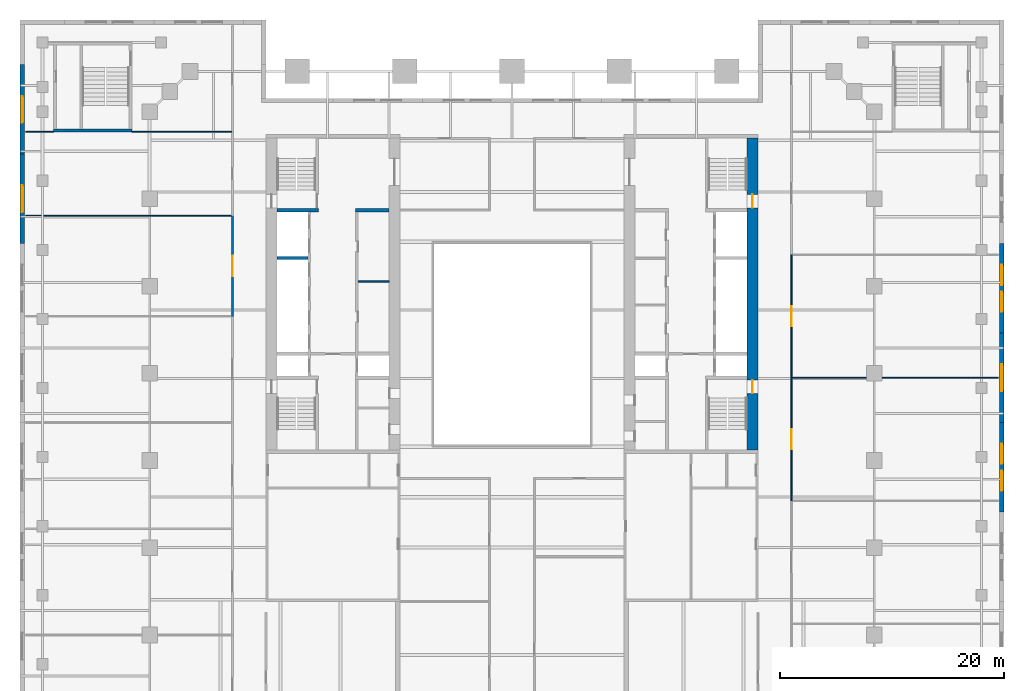
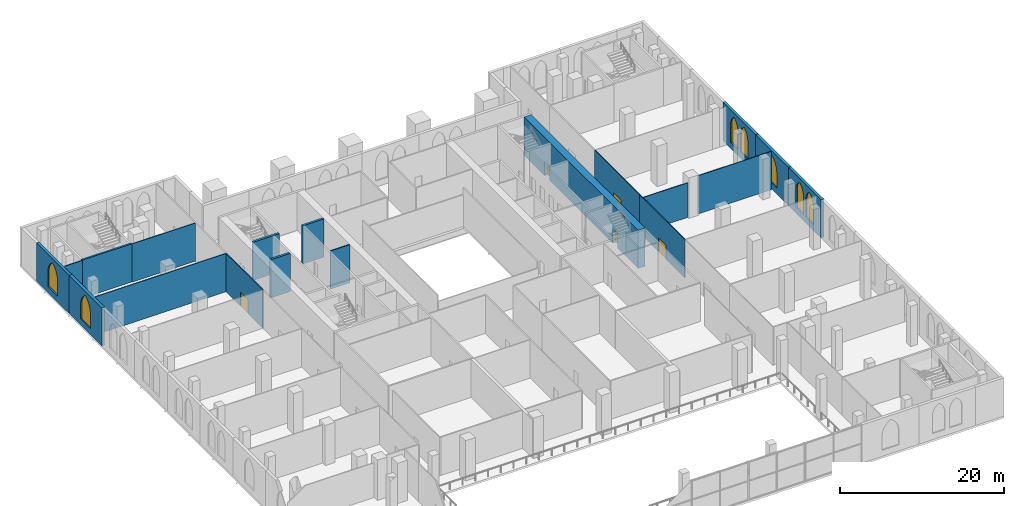
# One storey, part 14 of 21: 19 walls, 7 windows, 5 doors, 12 openings.
"""IFC4 building model written with IfcOpenShell, lengths in metres."""

from ifc_helpers import new_model, si_unit, direction, frame, frame_2d, origin, place, context, subcontext, project, spatial, polyline, rectangle, outline, extrude, material, layer, layer_set, type_object, element, fill, save


model = new_model("IFC4")

# Units and contexts
model_context = context("Model", 3, precision=1e-05, world=origin(), true_north=direction((0.0, 1.0)))
body_context = subcontext(model_context, "Body", "Model", "MODEL_VIEW")
ifc_project = project(units=[si_unit("LENGTHUNIT", "METRE"), si_unit("AREAUNIT", "SQUARE_METRE"), si_unit("VOLUMEUNIT", "CUBIC_METRE"), si_unit("PLANEANGLEUNIT", "RADIAN"), si_unit("MASSUNIT", "GRAM", prefix="KILO")], contexts=[model_context])

# Site, building, storey
site_placement = place(None, origin())
site = spatial("IfcSite", under=ifc_project, at=site_placement, CompositionType="ELEMENT")
building_placement = place(site_placement, origin())
building = spatial("IfcBuilding", under=site, at=building_placement, Name="Ogive Exchange Tower", CompositionType="ELEMENT")
storey_placement = place(building_placement, frame((0.0, 0.0, 8.0)))
storey = spatial("IfcBuildingStorey", under=building, at=storey_placement, Name="L01", CompositionType="ELEMENT", Elevation=8.0)

# Walls
ifc_material_1 = material(Name="Gypsum board partition")
ifc_layer_1 = layer(ifc_material_1, 0.14990234375)
ifc_layer_set_1 = layer_set([ifc_layer_1], Name="Core room partition 150 gypsum")
wall_type_1 = type_object("IfcWallType", Name="Core room partition 150 gypsum", PredefinedType="PARTITIONING", material=ifc_layer_set_1)
wall_1_placement = place(storey_placement, frame((-13.75, 12.60009765625, 0.0), z_axis=(0.0, 0.0, 1.0), x_axis=(1.0, 0.0, 0.0)))
element("IfcWall", 1, at=wall_1_placement, inside=storey, type_object=wall_type_1, Name="W row B bay partition 1-1", PredefinedType="PARTITIONING", context=body_context, shape_type="SweptSolid", body=[
    extrude(rectangle(XDim=2.75, YDim=0.14990234375, at=frame_2d((1.375, 0.0))), origin(), (0.0, 0.0, 1.0), 5.699951171875),
])
ifc_layer_2 = layer(ifc_material_1, 0.300048828125)
ifc_layer_set_2 = layer_set([ifc_layer_2], Name="Core room partition 300 gypsum")
wall_type_2 = type_object("IfcWallType", Name="Core room partition 300 gypsum", PredefinedType="PARTITIONING", material=ifc_layer_set_2)
wall_2_placement = place(storey_placement, frame((-14.0, 19.0, 0.0), z_axis=(0.0, 0.0, 1.0), x_axis=(1.0, 0.0, 0.0)))
element("IfcWall", 2, at=wall_2_placement, inside=storey, type_object=wall_type_2, Name="W row B room end wall 7", PredefinedType="PARTITIONING", context=body_context, shape_type="SweptSolid", body=[
    extrude(rectangle(XDim=3.0, YDim=0.300048828125, at=frame_2d((1.5, 0.0))), origin(), (0.0, 0.0, 1.0), 5.699951171875),
])

# Wall, opening, door
ifc_material_2 = material(Name="Fire partition EI 60 150")
ifc_layer_3 = layer(ifc_material_2, 0.14990234375)
ifc_layer_set_3 = layer_set([ifc_layer_3], Name="Fire partition EI 60 150")
wall_type_3 = type_object("IfcWallType", Name="Fire partition EI 60 150", PredefinedType="PARTITIONING", material=ifc_layer_set_3)
wall_3_placement = place(storey_placement, frame((-25.0, 9.5, 0.0), z_axis=(0.0, 0.0, 1.0), x_axis=(0.0, 1.0, 0.0)))
wall_3 = element("IfcWall", 3, at=wall_3_placement, inside=storey, type_object=wall_type_3, Name="L01-PWL-049", PredefinedType="PARTITIONING", context=body_context, shape_type="SweptSolid", body=[
    extrude(rectangle(XDim=9.0, YDim=0.14990234375, at=frame_2d((4.5, 0.0))), origin(), (0.0, 0.0, 1.0), 5.699951171875),
])
opening_1_placement = place(wall_3_placement, frame((3.60009765625, 0.0, 0.0)))
opening_1 = element("IfcOpeningElement", 4, at=opening_1_placement, cuts=wall_3, Name="Opening L01-I07", PredefinedType="OPENING", context=body_context, shape_type="SweptSolid", body=[
    extrude(rectangle(XDim=1.800048828125, YDim=2.10009765625, at=frame_2d((0.89990234375, 1.050048828125))), frame((0.0, 0.0849609375, 0.0), z_axis=(0.0, -1.0, 0.0), x_axis=(1.0, 0.0, 0.0)), (0.0, 0.0, 1.0), 0.169921875),
])
ifc_material_3 = material(Name="Fire door FD 30S 1800 x 2100")
door_type_1 = type_object("IfcDoorType", Name="Fire door FD 30S 1800 x 2100", OperationType="DOUBLE_DOOR_SINGLE_SWING", PredefinedType="DOOR", material=ifc_material_3)
door_1_placement = place(opening_1_placement, origin())
door_1 = element("IfcDoor", 5, at=door_1_placement, inside=storey, type_object=door_type_1, Name="L01-IDR-007", ObjectType="DT4", OperationType="SINGLE_SWING_RIGHT", OverallHeight=2.10009765625, OverallWidth=1.800048828125, PredefinedType="DOOR", context=body_context, shape_type="SweptSolid", body=[
    extrude(rectangle(XDim=1.800048828125, YDim=2.10009765625, at=frame_2d((0.89990234375, 1.050048828125))), frame((0.0, 0.02490234375, 0.0), z_axis=(0.0, -1.0, 0.0), x_axis=(1.0, 0.0, 0.0)), (0.0, 0.0, 1.0), 0.050048828125),
])
fill(opening_1, door_1)

ifc_material_4 = material(Name="Glazed fire partition EI 60 120")
ifc_layer_4 = layer(ifc_material_4, 0.1201171875)
ifc_layer_set_4 = layer_set([ifc_layer_4], Name="Glazed fire partition EI 60 120")
wall_type_4 = type_object("IfcWallType", Name="Glazed fire partition EI 60 120", PredefinedType="PARTITIONING", material=ifc_layer_set_4)
wall_4_placement = place(storey_placement, frame((25.0, -7.0, 0.0), z_axis=(0.0, 0.0, 1.0), x_axis=(0.0, 1.0, 0.0)))
wall_4 = element("IfcWall", 6, at=wall_4_placement, inside=storey, type_object=wall_type_4, Name="L01-PWL-062", PredefinedType="PARTITIONING", context=body_context, shape_type="SweptSolid", body=[
    extrude(rectangle(XDim=11.0, YDim=0.1201171875, at=frame_2d((5.5, 0.0))), origin(), (0.0, 0.0, 1.0), 5.699951171875),
])
opening_2_placement = place(wall_4_placement, frame((4.60009765625, 0.0, 0.0)))
opening_2 = element("IfcOpeningElement", 7, at=opening_2_placement, cuts=wall_4, Name="Opening L01-I11", PredefinedType="OPENING", context=body_context, shape_type="SweptSolid", body=[
    extrude(rectangle(XDim=1.800048828125, YDim=2.10009765625, at=frame_2d((0.89990234375, 1.050048828125))), frame((0.0, 0.070068359375, 0.0), z_axis=(0.0, -1.0, 0.0), x_axis=(1.0, 0.0, 0.0)), (0.0, 0.0, 1.0), 0.14013671875),
])
door_2_placement = place(opening_2_placement, frame((1.800048828125, 0.0, 0.0), z_axis=(0.0, 0.0, 1.0), x_axis=(-1.0, 0.0, 0.0)))
door_2 = element("IfcDoor", 8, at=door_2_placement, inside=storey, type_object=door_type_1, Name="L01-IDR-011", ObjectType="DT4", OperationType="SINGLE_SWING_LEFT", OverallHeight=2.10009765625, OverallWidth=1.800048828125, PredefinedType="DOOR", context=body_context, shape_type="SweptSolid", body=[
    extrude(rectangle(XDim=1.800048828125, YDim=2.10009765625, at=frame_2d((0.89990234375, 1.050048828125))), frame((0.0, 0.02490234375, 0.0), z_axis=(0.0, -1.0, 0.0), x_axis=(1.0, 0.0, 0.0)), (0.0, 0.0, 1.0), 0.050048828125),
])
fill(opening_2, door_2)

wall_5_placement = place(storey_placement, frame((25.0, 4.0, 0.0), z_axis=(0.0, 0.0, 1.0), x_axis=(0.0, 1.0, 0.0)))
wall_5 = element("IfcWall", 9, at=wall_5_placement, inside=storey, type_object=wall_type_4, Name="L01-PWL-063", PredefinedType="PARTITIONING", context=body_context, shape_type="SweptSolid", body=[
    extrude(rectangle(XDim=11.0, YDim=0.1201171875, at=frame_2d((5.5, 0.0))), origin(), (0.0, 0.0, 1.0), 5.699951171875),
])
opening_3_placement = place(wall_5_placement, frame((4.60009765625, 0.0, 0.0)))
opening_3 = element("IfcOpeningElement", 10, at=opening_3_placement, cuts=wall_5, Name="Opening L01-I12", PredefinedType="OPENING", context=body_context, shape_type="SweptSolid", body=[
    extrude(rectangle(XDim=1.800048828125, YDim=2.10009765625, at=frame_2d((0.89990234375, 1.050048828125))), frame((0.0, 0.070068359375, 0.0), z_axis=(0.0, -1.0, 0.0), x_axis=(1.0, 0.0, 0.0)), (0.0, 0.0, 1.0), 0.14013671875),
])
door_3_placement = place(opening_3_placement, frame((1.800048828125, 0.0, 0.0), z_axis=(0.0, 0.0, 1.0), x_axis=(-1.0, 0.0, 0.0)))
door_3 = element("IfcDoor", 11, at=door_3_placement, inside=storey, type_object=door_type_1, Name="L01-IDR-012", ObjectType="DT4", OperationType="SINGLE_SWING_LEFT", OverallHeight=2.10009765625, OverallWidth=1.800048828125, PredefinedType="DOOR", context=body_context, shape_type="SweptSolid", body=[
    extrude(rectangle(XDim=1.800048828125, YDim=2.10009765625, at=frame_2d((0.89990234375, 1.050048828125))), frame((0.0, 0.02490234375, 0.0), z_axis=(0.0, -1.0, 0.0), x_axis=(1.0, 0.0, 0.0)), (0.0, 0.0, 1.0), 0.050048828125),
])
fill(opening_3, door_3)

# Wall, openings, windows
ifc_material_5 = material(Name="Precast concrete C40/50", Category="concrete")
ifc_layer_5 = layer(ifc_material_5, 0.39990234375)
ifc_layer_set_5 = layer_set([ifc_layer_5], Name="Limestone-faced wall 400")
wall_type_5 = type_object("IfcWallType", Name="Limestone-faced wall 400", PredefinedType="STANDARD", material=ifc_layer_set_5)
wall_6_placement = place(storey_placement, frame((43.800048828125, -8.0, 0.0), z_axis=(0.0, 0.0, 1.0), x_axis=(0.0, 1.0, 0.0)))
wall_6 = element("IfcWall", 12, at=wall_6_placement, inside=storey, type_object=wall_type_5, Name="Podium wall E7", PredefinedType="STANDARD", context=body_context, shape_type="SweptSolid", body=[
    extrude(rectangle(XDim=8.0, YDim=0.39990234375, at=frame_2d((4.0, 0.0))), origin(), (0.0, 0.0, 1.0), 5.699951171875),
])
opening_4_placement = place(wall_6_placement, frame((1.89990234375, 0.0, 0.89990234375)))
opening_4 = element("IfcOpeningElement", 13, at=opening_4_placement, cuts=wall_6, Name="Opening WQ420", PredefinedType="OPENING", context=body_context, shape_type="SweptSolid", body=[
    extrude(outline(polyline([(0.0, 0.0), (1.800048828125, 0.0), (1.800048828125, 2.64111328125), (1.78466796875, 2.8759765625), (1.73876953125, 3.10693359375), (1.6630859375, 3.329833984375), (1.558837890625, 3.541015625), (1.427978515625, 3.73681640625), (1.272705078125, 3.913818359375), (1.095703125, 4.069091796875), (0.89990234375, 4.199951171875), (0.704345703125, 4.069091796875), (0.52734375, 3.913818359375), (0.3720703125, 3.73681640625), (0.2412109375, 3.541015625), (0.136962890625, 3.329833984375), (0.061279296875, 3.10693359375), (0.015380859375, 2.8759765625), (0.0, 2.64111328125), (0.0, 0.0)])), frame((0.0, 0.2099609375, 0.0), z_axis=(0.0, -1.0, 0.0), x_axis=(1.0, 0.0, 0.0)), (0.0, 0.0, 1.0), 0.419921875),
])
opening_5_placement = place(wall_6_placement, frame((4.300048828125, 0.0, 0.89990234375)))
opening_5 = element("IfcOpeningElement", 14, at=opening_5_placement, cuts=wall_6, Name="Opening WQ420", PredefinedType="OPENING", context=body_context, shape_type="SweptSolid", body=[
    extrude(outline(polyline([(0.0, 0.0), (1.800048828125, 0.0), (1.800048828125, 2.64111328125), (1.78466796875, 2.8759765625), (1.73876953125, 3.10693359375), (1.6630859375, 3.329833984375), (1.558837890625, 3.541015625), (1.427978515625, 3.73681640625), (1.272705078125, 3.913818359375), (1.095703125, 4.069091796875), (0.89990234375, 4.199951171875), (0.704345703125, 4.069091796875), (0.52734375, 3.913818359375), (0.3720703125, 3.73681640625), (0.2412109375, 3.541015625), (0.136962890625, 3.329833984375), (0.061279296875, 3.10693359375), (0.015380859375, 2.8759765625), (0.0, 2.64111328125), (0.0, 0.0)])), frame((0.0, 0.2099609375, 0.0), z_axis=(0.0, -1.0, 0.0), x_axis=(1.0, 0.0, 0.0)), (0.0, 0.0, 1.0), 0.419921875),
])
ifc_material_6 = material(Name="Clear glass in bronze frame", Category="glass")
window_type_1 = type_object("IfcWindowType", Name="Podium paired lancet 1800 x 4200", PartitioningType="DOUBLE_PANEL_VERTICAL", PredefinedType="WINDOW", material=ifc_material_6)
window_1_placement = place(opening_4_placement, origin())
window_1 = element("IfcWindow", 15, at=window_1_placement, inside=storey, type_object=window_type_1, Name="Podium paired lancet E7.1", OverallHeight=4.199951171875, OverallWidth=1.800048828125, PartitioningType="DOUBLE_PANEL_VERTICAL", PredefinedType="WINDOW", context=body_context, shape_type="SweptSolid", body=[
    extrude(outline(polyline([(0.0, 0.0), (1.800048828125, 0.0), (1.800048828125, 2.64111328125), (1.78466796875, 2.8759765625), (1.73876953125, 3.10693359375), (1.6630859375, 3.329833984375), (1.558837890625, 3.541015625), (1.427978515625, 3.73681640625), (1.272705078125, 3.913818359375), (1.095703125, 4.069091796875), (0.89990234375, 4.199951171875), (0.704345703125, 4.069091796875), (0.52734375, 3.913818359375), (0.3720703125, 3.73681640625), (0.2412109375, 3.541015625), (0.136962890625, 3.329833984375), (0.061279296875, 3.10693359375), (0.015380859375, 2.8759765625), (0.0, 2.64111328125), (0.0, 0.0)])), frame((0.0, 0.030029296875, 0.0), z_axis=(0.0, -1.0, 0.0), x_axis=(1.0, 0.0, 0.0)), (0.0, 0.0, 1.0), 0.06005859375),
])
fill(opening_4, window_1)
window_2_placement = place(opening_5_placement, origin())
window_2 = element("IfcWindow", 16, at=window_2_placement, inside=storey, type_object=window_type_1, Name="Podium paired lancet E7.2", OverallHeight=4.199951171875, OverallWidth=1.800048828125, PartitioningType="DOUBLE_PANEL_VERTICAL", PredefinedType="WINDOW", context=body_context, shape_type="SweptSolid", body=[
    extrude(outline(polyline([(0.0, 0.0), (1.800048828125, 0.0), (1.800048828125, 2.64111328125), (1.78466796875, 2.8759765625), (1.73876953125, 3.10693359375), (1.6630859375, 3.329833984375), (1.558837890625, 3.541015625), (1.427978515625, 3.73681640625), (1.272705078125, 3.913818359375), (1.095703125, 4.069091796875), (0.89990234375, 4.199951171875), (0.704345703125, 4.069091796875), (0.52734375, 3.913818359375), (0.3720703125, 3.73681640625), (0.2412109375, 3.541015625), (0.136962890625, 3.329833984375), (0.061279296875, 3.10693359375), (0.015380859375, 2.8759765625), (0.0, 2.64111328125), (0.0, 0.0)])), frame((0.0, 0.030029296875, 0.0), z_axis=(0.0, -1.0, 0.0), x_axis=(1.0, 0.0, 0.0)), (0.0, 0.0, 1.0), 0.06005859375),
])
fill(opening_5, window_2)

# Wall, opening, window
wall_7_placement = place(storey_placement, frame((43.800048828125, 0.0, 0.0), z_axis=(0.0, 0.0, 1.0), x_axis=(0.0, 1.0, 0.0)))
wall_7 = element("IfcWall", 17, at=wall_7_placement, inside=storey, type_object=wall_type_5, Name="Podium wall E8", PredefinedType="STANDARD", context=body_context, shape_type="SweptSolid", body=[
    extrude(rectangle(XDim=8.0, YDim=0.39990234375, at=frame_2d((4.0, 0.0))), origin(), (0.0, 0.0, 1.0), 5.699951171875),
])
opening_6_placement = place(wall_7_placement, frame((2.800048828125, 0.0, 0.89990234375)))
opening_6 = element("IfcOpeningElement", 18, at=opening_6_placement, cuts=wall_7, Name="Opening WP420", PredefinedType="OPENING", context=body_context, shape_type="SweptSolid", body=[
    extrude(outline(polyline([(0.0, 0.0), (2.39990234375, 0.0), (2.39990234375, 2.12158203125), (2.37939453125, 2.434814453125), (2.318115234375, 2.74267578125), (2.21728515625, 3.0400390625), (2.078369140625, 3.321533203125), (1.904052734375, 3.58251953125), (1.697021484375, 3.818603515625), (1.4609375, 4.025634765625), (1.199951171875, 4.199951171875), (0.93896484375, 4.025634765625), (0.702880859375, 3.818603515625), (0.495849609375, 3.58251953125), (0.321533203125, 3.321533203125), (0.1826171875, 3.0400390625), (0.081787109375, 2.74267578125), (0.0205078125, 2.434814453125), (0.0, 2.12158203125), (0.0, 0.0)])), frame((0.0, 0.2099609375, 0.0), z_axis=(0.0, -1.0, 0.0), x_axis=(1.0, 0.0, 0.0)), (0.0, 0.0, 1.0), 0.419921875),
])
window_type_2 = type_object("IfcWindowType", Name="Podium lancet window 2400 x 4200", PartitioningType="DOUBLE_PANEL_VERTICAL", PredefinedType="WINDOW", material=ifc_material_6)
window_3_placement = place(opening_6_placement, origin())
window_3 = element("IfcWindow", 19, at=window_3_placement, inside=storey, type_object=window_type_2, Name="Podium window E8", OverallHeight=4.199951171875, OverallWidth=2.39990234375, PartitioningType="DOUBLE_PANEL_VERTICAL", PredefinedType="WINDOW", context=body_context, shape_type="SweptSolid", body=[
    extrude(outline(polyline([(0.0, 0.0), (2.39990234375, 0.0), (2.39990234375, 2.12158203125), (2.37939453125, 2.434814453125), (2.318115234375, 2.74267578125), (2.21728515625, 3.0400390625), (2.078369140625, 3.321533203125), (1.904052734375, 3.58251953125), (1.697021484375, 3.818603515625), (1.4609375, 4.025634765625), (1.199951171875, 4.199951171875), (0.93896484375, 4.025634765625), (0.702880859375, 3.818603515625), (0.495849609375, 3.58251953125), (0.321533203125, 3.321533203125), (0.1826171875, 3.0400390625), (0.081787109375, 2.74267578125), (0.0205078125, 2.434814453125), (0.0, 2.12158203125), (0.0, 0.0)])), frame((0.0, 0.030029296875, 0.0), z_axis=(0.0, -1.0, 0.0), x_axis=(1.0, 0.0, 0.0)), (0.0, 0.0, 1.0), 0.06005859375),
])
fill(opening_6, window_3)

# Wall, openings, windows
wall_8_placement = place(storey_placement, frame((43.800048828125, 8.0, 0.0), z_axis=(0.0, 0.0, 1.0), x_axis=(0.0, 1.0, 0.0)))
wall_8 = element("IfcWall", 20, at=wall_8_placement, inside=storey, type_object=wall_type_5, Name="Podium wall E9", PredefinedType="STANDARD", context=body_context, shape_type="SweptSolid", body=[
    extrude(rectangle(XDim=8.0, YDim=0.39990234375, at=frame_2d((4.0, 0.0))), origin(), (0.0, 0.0, 1.0), 5.699951171875),
])
opening_7_placement = place(wall_8_placement, frame((1.89990234375, 0.0, 0.89990234375)))
opening_7 = element("IfcOpeningElement", 21, at=opening_7_placement, cuts=wall_8, Name="Opening WQ420", PredefinedType="OPENING", context=body_context, shape_type="SweptSolid", body=[
    extrude(outline(polyline([(0.0, 0.0), (1.800048828125, 0.0), (1.800048828125, 2.64111328125), (1.78466796875, 2.8759765625), (1.73876953125, 3.10693359375), (1.6630859375, 3.329833984375), (1.558837890625, 3.541015625), (1.427978515625, 3.73681640625), (1.272705078125, 3.913818359375), (1.095703125, 4.069091796875), (0.89990234375, 4.199951171875), (0.704345703125, 4.069091796875), (0.52734375, 3.913818359375), (0.3720703125, 3.73681640625), (0.2412109375, 3.541015625), (0.136962890625, 3.329833984375), (0.061279296875, 3.10693359375), (0.015380859375, 2.8759765625), (0.0, 2.64111328125), (0.0, 0.0)])), frame((0.0, 0.2099609375, 0.0), z_axis=(0.0, -1.0, 0.0), x_axis=(1.0, 0.0, 0.0)), (0.0, 0.0, 1.0), 0.419921875),
])
opening_8_placement = place(wall_8_placement, frame((4.300048828125, 0.0, 0.89990234375)))
opening_8 = element("IfcOpeningElement", 22, at=opening_8_placement, cuts=wall_8, Name="Opening WQ420", PredefinedType="OPENING", context=body_context, shape_type="SweptSolid", body=[
    extrude(outline(polyline([(0.0, 0.0), (1.800048828125, 0.0), (1.800048828125, 2.64111328125), (1.78466796875, 2.8759765625), (1.73876953125, 3.10693359375), (1.6630859375, 3.329833984375), (1.558837890625, 3.541015625), (1.427978515625, 3.73681640625), (1.272705078125, 3.913818359375), (1.095703125, 4.069091796875), (0.89990234375, 4.199951171875), (0.704345703125, 4.069091796875), (0.52734375, 3.913818359375), (0.3720703125, 3.73681640625), (0.2412109375, 3.541015625), (0.136962890625, 3.329833984375), (0.061279296875, 3.10693359375), (0.015380859375, 2.8759765625), (0.0, 2.64111328125), (0.0, 0.0)])), frame((0.0, 0.2099609375, 0.0), z_axis=(0.0, -1.0, 0.0), x_axis=(1.0, 0.0, 0.0)), (0.0, 0.0, 1.0), 0.419921875),
])
window_4_placement = place(opening_7_placement, origin())
window_4 = element("IfcWindow", 23, at=window_4_placement, inside=storey, type_object=window_type_1, Name="Podium paired lancet E9.1", OverallHeight=4.199951171875, OverallWidth=1.800048828125, PartitioningType="DOUBLE_PANEL_VERTICAL", PredefinedType="WINDOW", context=body_context, shape_type="SweptSolid", body=[
    extrude(outline(polyline([(0.0, 0.0), (1.800048828125, 0.0), (1.800048828125, 2.64111328125), (1.78466796875, 2.8759765625), (1.73876953125, 3.10693359375), (1.6630859375, 3.329833984375), (1.558837890625, 3.541015625), (1.427978515625, 3.73681640625), (1.272705078125, 3.913818359375), (1.095703125, 4.069091796875), (0.89990234375, 4.199951171875), (0.704345703125, 4.069091796875), (0.52734375, 3.913818359375), (0.3720703125, 3.73681640625), (0.2412109375, 3.541015625), (0.136962890625, 3.329833984375), (0.061279296875, 3.10693359375), (0.015380859375, 2.8759765625), (0.0, 2.64111328125), (0.0, 0.0)])), frame((0.0, 0.030029296875, 0.0), z_axis=(0.0, -1.0, 0.0), x_axis=(1.0, 0.0, 0.0)), (0.0, 0.0, 1.0), 0.06005859375),
])
fill(opening_7, window_4)
window_5_placement = place(opening_8_placement, origin())
window_5 = element("IfcWindow", 24, at=window_5_placement, inside=storey, type_object=window_type_1, Name="Podium paired lancet E9.2", OverallHeight=4.199951171875, OverallWidth=1.800048828125, PartitioningType="DOUBLE_PANEL_VERTICAL", PredefinedType="WINDOW", context=body_context, shape_type="SweptSolid", body=[
    extrude(outline(polyline([(0.0, 0.0), (1.800048828125, 0.0), (1.800048828125, 2.64111328125), (1.78466796875, 2.8759765625), (1.73876953125, 3.10693359375), (1.6630859375, 3.329833984375), (1.558837890625, 3.541015625), (1.427978515625, 3.73681640625), (1.272705078125, 3.913818359375), (1.095703125, 4.069091796875), (0.89990234375, 4.199951171875), (0.704345703125, 4.069091796875), (0.52734375, 3.913818359375), (0.3720703125, 3.73681640625), (0.2412109375, 3.541015625), (0.136962890625, 3.329833984375), (0.061279296875, 3.10693359375), (0.015380859375, 2.8759765625), (0.0, 2.64111328125), (0.0, 0.0)])), frame((0.0, 0.030029296875, 0.0), z_axis=(0.0, -1.0, 0.0), x_axis=(1.0, 0.0, 0.0)), (0.0, 0.0, 1.0), 0.06005859375),
])
fill(opening_8, window_5)

# Wall, opening, window
wall_9_placement = place(storey_placement, frame((-43.800048828125, 32.0, 0.0), z_axis=(0.0, 0.0, 1.0), x_axis=(0.0, -1.0, 0.0)))
wall_9 = element("IfcWall", 25, at=wall_9_placement, inside=storey, type_object=wall_type_5, Name="Podium wall W2", PredefinedType="STANDARD", context=body_context, shape_type="SweptSolid", body=[
    extrude(rectangle(XDim=8.0, YDim=0.39990234375, at=frame_2d((4.0, 0.0))), origin(), (0.0, 0.0, 1.0), 5.699951171875),
])
opening_9_placement = place(wall_9_placement, frame((2.800048828125, 0.0, 0.89990234375)))
opening_9 = element("IfcOpeningElement", 26, at=opening_9_placement, cuts=wall_9, Name="Opening WP420", PredefinedType="OPENING", context=body_context, shape_type="SweptSolid", body=[
    extrude(outline(polyline([(0.0, 0.0), (2.39990234375, 0.0), (2.39990234375, 2.12158203125), (2.37939453125, 2.434814453125), (2.318115234375, 2.74267578125), (2.21728515625, 3.0400390625), (2.078369140625, 3.321533203125), (1.904052734375, 3.58251953125), (1.697021484375, 3.818603515625), (1.4609375, 4.025634765625), (1.199951171875, 4.199951171875), (0.93896484375, 4.025634765625), (0.702880859375, 3.818603515625), (0.495849609375, 3.58251953125), (0.321533203125, 3.321533203125), (0.1826171875, 3.0400390625), (0.081787109375, 2.74267578125), (0.0205078125, 2.434814453125), (0.0, 2.12158203125), (0.0, 0.0)])), frame((0.0, 0.2099609375, 0.0), z_axis=(0.0, -1.0, 0.0), x_axis=(1.0, 0.0, 0.0)), (0.0, 0.0, 1.0), 0.419921875),
])
window_6_placement = place(opening_9_placement, origin())
window_6 = element("IfcWindow", 27, at=window_6_placement, inside=storey, type_object=window_type_2, Name="Podium window W2", OverallHeight=4.199951171875, OverallWidth=2.39990234375, PartitioningType="DOUBLE_PANEL_VERTICAL", PredefinedType="WINDOW", context=body_context, shape_type="SweptSolid", body=[
    extrude(outline(polyline([(0.0, 0.0), (2.39990234375, 0.0), (2.39990234375, 2.12158203125), (2.37939453125, 2.434814453125), (2.318115234375, 2.74267578125), (2.21728515625, 3.0400390625), (2.078369140625, 3.321533203125), (1.904052734375, 3.58251953125), (1.697021484375, 3.818603515625), (1.4609375, 4.025634765625), (1.199951171875, 4.199951171875), (0.93896484375, 4.025634765625), (0.702880859375, 3.818603515625), (0.495849609375, 3.58251953125), (0.321533203125, 3.321533203125), (0.1826171875, 3.0400390625), (0.081787109375, 2.74267578125), (0.0205078125, 2.434814453125), (0.0, 2.12158203125), (0.0, 0.0)])), frame((0.0, 0.030029296875, 0.0), z_axis=(0.0, -1.0, 0.0), x_axis=(1.0, 0.0, 0.0)), (0.0, 0.0, 1.0), 0.06005859375),
])
fill(opening_9, window_6)

wall_10_placement = place(storey_placement, frame((-43.800048828125, 24.0, 0.0), z_axis=(0.0, 0.0, 1.0), x_axis=(0.0, -1.0, 0.0)))
wall_10 = element("IfcWall", 28, at=wall_10_placement, inside=storey, type_object=wall_type_5, Name="Podium wall W3", PredefinedType="STANDARD", context=body_context, shape_type="SweptSolid", body=[
    extrude(rectangle(XDim=8.0, YDim=0.39990234375, at=frame_2d((4.0, 0.0))), origin(), (0.0, 0.0, 1.0), 5.699951171875),
])
opening_10_placement = place(wall_10_placement, frame((2.800048828125, 0.0, 0.89990234375)))
opening_10 = element("IfcOpeningElement", 29, at=opening_10_placement, cuts=wall_10, Name="Opening WP420", PredefinedType="OPENING", context=body_context, shape_type="SweptSolid", body=[
    extrude(outline(polyline([(0.0, 0.0), (2.39990234375, 0.0), (2.39990234375, 2.12158203125), (2.37939453125, 2.434814453125), (2.318115234375, 2.74267578125), (2.21728515625, 3.0400390625), (2.078369140625, 3.321533203125), (1.904052734375, 3.58251953125), (1.697021484375, 3.818603515625), (1.4609375, 4.025634765625), (1.199951171875, 4.199951171875), (0.93896484375, 4.025634765625), (0.702880859375, 3.818603515625), (0.495849609375, 3.58251953125), (0.321533203125, 3.321533203125), (0.1826171875, 3.0400390625), (0.081787109375, 2.74267578125), (0.0205078125, 2.434814453125), (0.0, 2.12158203125), (0.0, 0.0)])), frame((0.0, 0.2099609375, 0.0), z_axis=(0.0, -1.0, 0.0), x_axis=(1.0, 0.0, 0.0)), (0.0, 0.0, 1.0), 0.419921875),
])
window_7_placement = place(opening_10_placement, origin())
window_7 = element("IfcWindow", 30, at=window_7_placement, inside=storey, type_object=window_type_2, Name="Podium window W3", OverallHeight=4.199951171875, OverallWidth=2.39990234375, PartitioningType="DOUBLE_PANEL_VERTICAL", PredefinedType="WINDOW", context=body_context, shape_type="SweptSolid", body=[
    extrude(outline(polyline([(0.0, 0.0), (2.39990234375, 0.0), (2.39990234375, 2.12158203125), (2.37939453125, 2.434814453125), (2.318115234375, 2.74267578125), (2.21728515625, 3.0400390625), (2.078369140625, 3.321533203125), (1.904052734375, 3.58251953125), (1.697021484375, 3.818603515625), (1.4609375, 4.025634765625), (1.199951171875, 4.199951171875), (0.93896484375, 4.025634765625), (0.702880859375, 3.818603515625), (0.495849609375, 3.58251953125), (0.321533203125, 3.321533203125), (0.1826171875, 3.0400390625), (0.081787109375, 2.74267578125), (0.0205078125, 2.434814453125), (0.0, 2.12158203125), (0.0, 0.0)])), frame((0.0, 0.030029296875, 0.0), z_axis=(0.0, -1.0, 0.0), x_axis=(1.0, 0.0, 0.0)), (0.0, 0.0, 1.0), 0.06005859375),
])
fill(opening_10, window_7)

# Walls
ifc_material_7 = material(Name="Partition 100 gypsum")
ifc_layer_6 = layer(ifc_material_7, 0.10009765625)
ifc_layer_set_6 = layer_set([ifc_layer_6], Name="Partition 100 gypsum")
wall_type_6 = type_object("IfcWallType", Name="Partition 100 gypsum", PredefinedType="PARTITIONING", material=ifc_layer_set_6)
wall_11_placement = place(storey_placement, frame((25.06005859375, 4.0, 0.0), z_axis=(0.0, 0.0, 1.0), x_axis=(1.0, 0.0, 0.0)))
element("IfcWall", 31, at=wall_11_placement, inside=storey, type_object=wall_type_6, Name="L01-PWL-026", PredefinedType="PARTITIONING", context=body_context, shape_type="SweptSolid", body=[
    extrude(rectangle(XDim=6.639892578125, YDim=0.10009765625, at=frame_2d((3.31982421875, 0.0))), origin(), (0.0, 0.0, 1.0), 5.1640625),
])
wall_12_placement = place(storey_placement, frame((33.10009765625, 4.0, 0.0), z_axis=(0.0, 0.0, 1.0), x_axis=(1.0, 0.0, 0.0)))
element("IfcWall", 32, at=wall_12_placement, inside=storey, type_object=wall_type_6, Name="L01-PWL-027", PredefinedType="PARTITIONING", context=body_context, shape_type="SweptSolid", body=[
    extrude(rectangle(XDim=10.39990234375, YDim=0.10009765625, at=frame_2d((5.199951171875, 0.0))), origin(), (0.0, 0.0, 1.0), 5.699951171875),
])
wall_13_placement = place(storey_placement, frame((-43.5, 18.5, 0.0), z_axis=(0.0, 0.0, 1.0), x_axis=(1.0, 0.0, 0.0)))
element("IfcWall", 33, at=wall_13_placement, inside=storey, type_object=wall_type_6, Name="L01-PWL-032", PredefinedType="PARTITIONING", context=body_context, shape_type="SweptSolid", body=[
    extrude(rectangle(XDim=18.425048828125, YDim=0.10009765625, at=frame_2d((9.21240234375, 0.0))), origin(), (0.0, 0.0, 1.0), 5.699951171875),
])
wall_14_placement = place(storey_placement, frame((-43.5, 26.0, 0.0), z_axis=(0.0, 0.0, 1.0), x_axis=(1.0, 0.0, 0.0)))
element("IfcWall", 34, at=wall_14_placement, inside=storey, type_object=wall_type_6, Name="L01-PWL-037", PredefinedType="PARTITIONING", context=body_context, shape_type="SweptSolid", body=[
    extrude(rectangle(XDim=2.5, YDim=0.10009765625, at=frame_2d((1.25, 0.0))), origin(), (0.0, 0.0, 1.0), 5.699951171875),
])
wall_15_placement = place(storey_placement, frame((-34.0, 26.0, 0.0), z_axis=(0.0, 0.0, 1.0), x_axis=(1.0, 0.0, 0.0)))
element("IfcWall", 35, at=wall_15_placement, inside=storey, type_object=wall_type_6, Name="L01-PWL-038", PredefinedType="PARTITIONING", context=body_context, shape_type="SweptSolid", body=[
    extrude(rectangle(XDim=8.925048828125, YDim=0.10009765625, at=frame_2d((4.46240234375, 0.0))), origin(), (0.0, 0.0, 1.0), 5.699951171875),
])

# Wall, openings, doors
ifc_material_8 = material(Name="Concrete C70/85", Category="concrete")
ifc_layer_7 = layer(ifc_material_8, 1.0)
ifc_layer_set_7 = layer_set([ifc_layer_7], Name="RC core wall 1000 C70/85")
wall_type_7 = type_object("IfcWallType", Name="RC core wall 1000 C70/85", PredefinedType="SHEAR", material=ifc_layer_set_7)
wall_16_placement = place(storey_placement, frame((21.5, -2.449951171875, 0.0), z_axis=(0.0, 0.0, 1.0), x_axis=(0.0, 1.0, 0.0)))
wall_16 = element("IfcWall", 36, at=wall_16_placement, inside=storey, type_object=wall_type_7, Name="E outer wall", PredefinedType="SHEAR", context=body_context, shape_type="SweptSolid", body=[
    extrude(rectangle(XDim=27.89990234375, YDim=1.0, at=frame_2d((13.949951171875, 0.0))), origin(), (0.0, 0.0, 1.0), 5.699951171875),
])
opening_11_placement = place(wall_16_placement, frame((5.050048828125, 0.0, 0.0)))
opening_11 = element("IfcOpeningElement", 37, at=opening_11_placement, cuts=wall_16, Name="Opening L01-C36", PredefinedType="OPENING", context=body_context, shape_type="SweptSolid", body=[
    extrude(rectangle(XDim=1.199951171875, YDim=2.10009765625, at=frame_2d((0.60009765625, 1.050048828125))), frame((0.0, 0.510009765625, 0.0), z_axis=(0.0, -1.0, 0.0), x_axis=(1.0, 0.0, 0.0)), (0.0, 0.0, 1.0), 1.02001953125),
])
opening_12_placement = place(wall_16_placement, frame((21.64990234375, 0.0, 0.0)))
opening_12 = element("IfcOpeningElement", 38, at=opening_12_placement, cuts=wall_16, Name="Opening L01-C38", PredefinedType="OPENING", context=body_context, shape_type="SweptSolid", body=[
    extrude(rectangle(XDim=1.199951171875, YDim=2.10009765625, at=frame_2d((0.60009765625, 1.050048828125))), frame((0.0, 0.510009765625, 0.0), z_axis=(0.0, -1.0, 0.0), x_axis=(1.0, 0.0, 0.0)), (0.0, 0.0, 1.0), 1.02001953125),
])
ifc_material_9 = material(Name="Steel fire door", Category="steel")
door_type_2 = type_object("IfcDoorType", Name="Stair door FD90 1200 x 2100", OperationType="NOTDEFINED", PredefinedType="DOOR", material=ifc_material_9)
door_4_placement = place(opening_11_placement, origin())
door_4 = element("IfcDoor", 39, at=door_4_placement, inside=storey, type_object=door_type_2, Name="Stair door", ObjectType="CD5", OperationType="SINGLE_SWING_LEFT", OverallHeight=2.10009765625, OverallWidth=1.199951171875, PredefinedType="DOOR", context=body_context, shape_type="SweptSolid", body=[
    extrude(rectangle(XDim=1.199951171875, YDim=2.10009765625, at=frame_2d((0.60009765625, 1.050048828125))), frame((0.0, 0.02490234375, 0.0), z_axis=(0.0, -1.0, 0.0), x_axis=(1.0, 0.0, 0.0)), (0.0, 0.0, 1.0), 0.050048828125),
])
fill(opening_11, door_4)
door_5_placement = place(opening_12_placement, origin())
door_5 = element("IfcDoor", 40, at=door_5_placement, inside=storey, type_object=door_type_2, Name="Stair door", ObjectType="CD5", OperationType="SINGLE_SWING_RIGHT", OverallHeight=2.10009765625, OverallWidth=1.199951171875, PredefinedType="DOOR", context=body_context, shape_type="SweptSolid", body=[
    extrude(rectangle(XDim=1.199951171875, YDim=2.10009765625, at=frame_2d((0.60009765625, 1.050048828125))), frame((0.0, 0.02490234375, 0.0), z_axis=(0.0, -1.0, 0.0), x_axis=(1.0, 0.0, 0.0)), (0.0, 0.0, 1.0), 0.050048828125),
])
fill(opening_12, door_5)

# Walls
ifc_layer_8 = layer(ifc_material_8, 0.25)
ifc_layer_set_8 = layer_set([ifc_layer_8], Name="RC core wall 250 C70/85")
wall_type_8 = type_object("IfcWallType", Name="RC core wall 250 C70/85", PredefinedType="SHEAR", material=ifc_layer_set_8)
wall_17_placement = place(storey_placement, frame((-41.0, 26.125, 0.0), z_axis=(0.0, 0.0, 1.0), x_axis=(1.0, 0.0, 0.0)))
element("IfcWall", 41, at=wall_17_placement, inside=storey, type_object=wall_type_8, Name="PS3 south wall", PredefinedType="SHEAR", context=body_context, shape_type="SweptSolid", body=[
    extrude(rectangle(XDim=7.0, YDim=0.25, at=frame_2d((3.5, 0.0))), origin(), (0.0, 0.0, 1.0), 5.699951171875),
])
ifc_layer_9 = layer(ifc_material_8, 0.300048828125)
ifc_layer_set_9 = layer_set([ifc_layer_9], Name="RC core wall 300 C70/85")
wall_type_9 = type_object("IfcWallType", Name="RC core wall 300 C70/85", PredefinedType="SHEAR", material=ifc_layer_set_9)
wall_18_placement = place(storey_placement, frame((-21.0, 19.0, 0.0), z_axis=(0.0, 0.0, 1.0), x_axis=(1.0, 0.0, 0.0)))
element("IfcWall", 42, at=wall_18_placement, inside=storey, type_object=wall_type_9, Name="W stair N south wall", PredefinedType="SHEAR", context=body_context, shape_type="SweptSolid", body=[
    extrude(rectangle(XDim=3.699951171875, YDim=0.300048828125, at=frame_2d((1.85009765625, 0.0))), origin(), (0.0, 0.0, 1.0), 5.699951171875),
])
wall_19_placement = place(storey_placement, frame((-21.0, 14.71435546875, 0.0), z_axis=(0.0, 0.0, 1.0), x_axis=(1.0, 0.0, 0.0)))
element("IfcWall", 43, at=wall_19_placement, inside=storey, type_object=wall_type_9, Name="W row A divider 5", PredefinedType="SHEAR", context=body_context, shape_type="SweptSolid", body=[
    extrude(rectangle(XDim=2.75, YDim=0.300048828125, at=frame_2d((1.375, 0.0))), origin(), (0.0, 0.0, 1.0), 5.699951171875),
])

save(model, "model.ifc")
